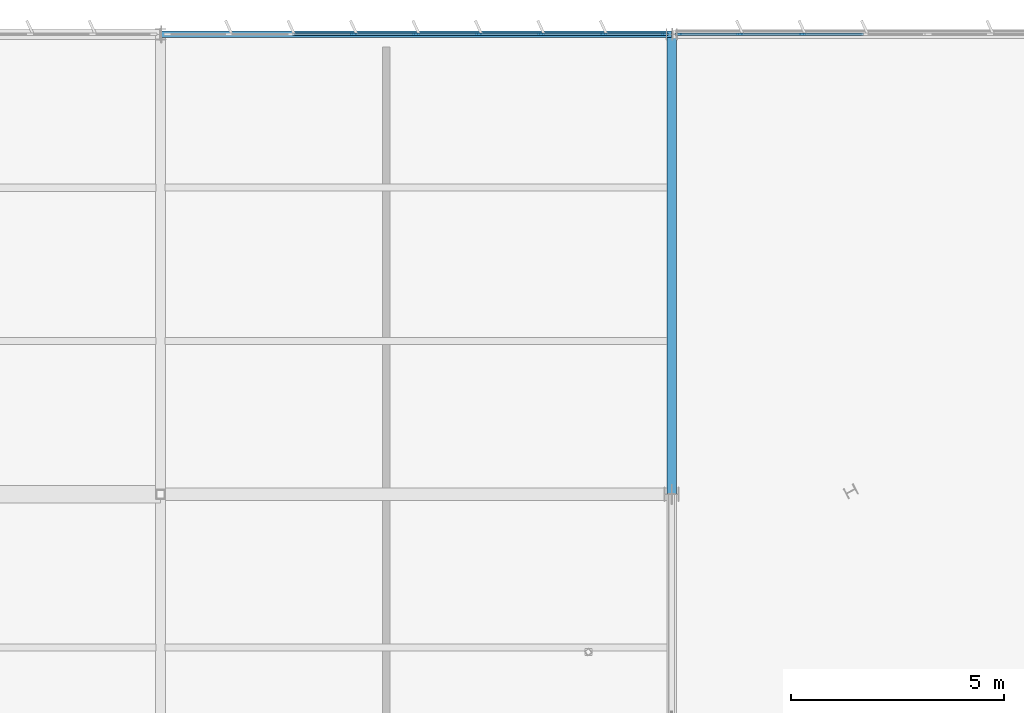
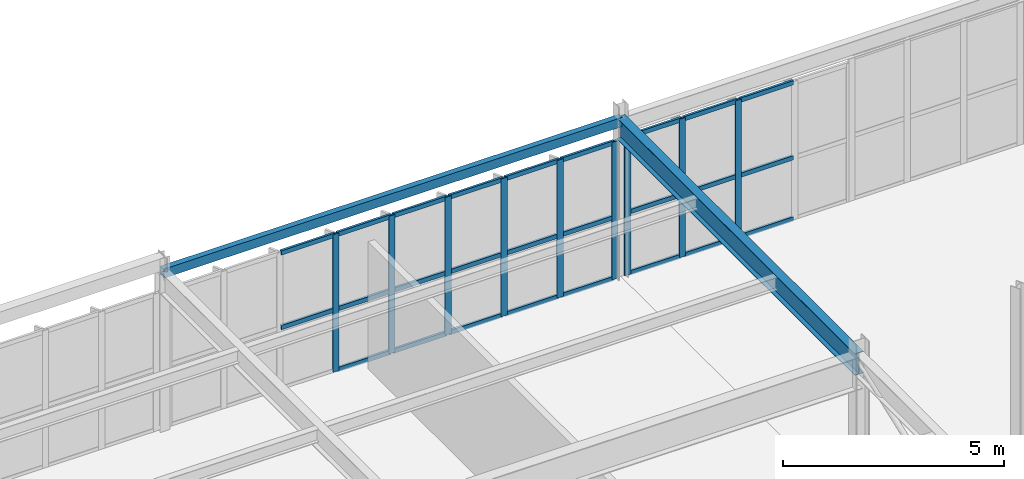
# One storey, part 95 of 226: 35 members, 2 beams, 2 elements without a shape of their own.
"""IFC4 building model written with IfcOpenShell, lengths in metres."""

from ifc_helpers import new_model, si_unit, direction, frame, origin, origin_2d, place, context, subcontext, project, spatial, rectangle, hollow_rectangle, i_section, extrude, material, layer, layer_set, material_profile, profile_set, type_object, element, aggregate, save


model = new_model("IFC4")

# Units and contexts
model_context = context("Model", 3, precision=1e-05, world=origin(), true_north=direction((0.0, 1.0)))
body_context = subcontext(model_context, "Body", "Model", "MODEL_VIEW")
ifc_project = project(units=[si_unit("LENGTHUNIT", "METRE"), si_unit("AREAUNIT", "SQUARE_METRE"), si_unit("VOLUMEUNIT", "CUBIC_METRE"), si_unit("PLANEANGLEUNIT", "RADIAN"), si_unit("MASSUNIT", "GRAM", prefix="KILO")], contexts=[model_context])

# Site, building, storey
site_placement = place(None, origin())
site = spatial("IfcSite", under=ifc_project, at=site_placement, CompositionType="ELEMENT")
building_placement = place(site_placement, origin())
building = spatial("IfcBuilding", under=site, at=building_placement, Name="Tarnwether General Hospital", CompositionType="ELEMENT")
storey_placement = place(building_placement, frame((0.0, 0.0, 4.800048828125)))
storey = spatial("IfcBuildingStorey", under=building, at=storey_placement, Name="L01", CompositionType="ELEMENT", Elevation=4.800048828125)

# Beams
ifc_material_1 = material(Name="Steel Grade 350 (350 MPa)", Category="steel")
ifc_material_profile_1 = material_profile(ifc_material_1, i_section(OverallWidth=0.22802734375, OverallDepth=0.60205078125, WebThickness=0.010498046875, FlangeThickness=0.014892578125, at=origin_2d()), Name="610UB101")
ifc_profile_set_1 = profile_set([ifc_material_profile_1], Name="Steel Grade 350 (350 MPa)")
beam_type_1 = type_object("IfcBeamType", Name="BM-G05", PredefinedType="BEAM", material=ifc_profile_set_1)
beam_1_placement = place(storey_placement, frame((60.0, 115.199951171875, 4.14404296875), z_axis=(0.0, 1.0, 0.0), x_axis=(-1.0, 0.0, 0.0)))
element("IfcBeam", 1, at=beam_1_placement, inside=storey, type_object=beam_type_1, Name="Primary Girder BMG-L01-6000_11520-6000_12600-1133", PredefinedType="BEAM", context=body_context, shape_type="SweptSolid", body=[
    extrude(i_section(OverallWidth=0.22802734375, OverallDepth=0.60205078125, WebThickness=0.010498046875, FlangeThickness=0.014892578125, at=origin_2d()), origin(), (0.0, 0.0, 1.0), 10.800048828125),
])
ifc_material_2 = material(Name="Steel Grade C350L0 (350 MPa)", Category="steel")
ifc_material_profile_2 = material_profile(ifc_material_2, hollow_rectangle(XDim=0.14990234375, YDim=0.25, WallThickness=0.008056640625, at=origin_2d()), Name="RHS250x150x8")
ifc_profile_set_2 = profile_set([ifc_material_profile_2], Name="Steel Grade C350L0 (350 MPa)")
beam_type_2 = type_object("IfcBeamType", Name="BM-SP8", PredefinedType="SPANDREL", material=ifc_profile_set_2)
beam_2_placement = place(storey_placement, frame((48.0, 126.0, 4.320068359375), z_axis=(1.0, 0.0, 0.0), x_axis=(0.0, 1.0, 0.0)))
element("IfcBeam", 2, at=beam_2_placement, inside=storey, type_object=beam_type_2, Name="Primary Girder BMG-L01-4800_12600-6000_12600-1117", PredefinedType="SPANDREL", context=body_context, shape_type="SweptSolid", body=[
    extrude(hollow_rectangle(XDim=0.14990234375, YDim=0.25, WallThickness=0.008056640625, at=origin_2d()), origin(), (0.0, 0.0, 1.0), 12.0),
])

# Curtain wall, members
ifc_material_3 = material(Name="Anodised aluminium", Category="aluminium")
ifc_layer = layer(ifc_material_3, 0.159912109375)
ifc_layer_set = layer_set([ifc_layer], Name="Anodised aluminium")
curtain_wall_type = type_object("IfcCurtainWallType", Name="CW-12", PredefinedType="NOTDEFINED", material=ifc_layer_set)
curtain_wall_1_placement = place(storey_placement, origin())
curtain_wall_1 = element("IfcCurtainWall", 3, at=curtain_wall_1_placement, inside=storey, type_object=curtain_wall_type, Name="Curtain Wall CWG-L01-481_1260-0321", PredefinedType="NOTDEFINED")
ifc_material_4 = material(Name="Anodised aluminium", Category="aluminium")
ifc_material_profile_3 = material_profile(ifc_material_4, rectangle(XDim=0.06005859375, YDim=0.159912109375, at=origin_2d()), Name="ALU-MUL-60x160")
ifc_profile_set_3 = profile_set([ifc_material_profile_3], Name="Anodised aluminium")
member_type_1 = type_object("IfcMemberType", Name="CW-ML1", PredefinedType="MULLION", material=ifc_profile_set_3)
member_1_placement = place(storey_placement, frame((52.53369140625, 126.0, 0.0), z_axis=(0.0, 0.0, 1.0), x_axis=(0.0, 1.0, 0.0)))
member_1 = element("IfcMember", 4, at=member_1_placement, type_object=member_type_1, Name="CW-12 mullion 4", PredefinedType="MULLION", context=body_context, shape_type="SweptSolid", body=[
    extrude(rectangle(XDim=0.06005859375, YDim=0.159912109375, at=origin_2d()), origin(), (0.0, 0.0, 1.0), 3.807861328125),
])
member_2_placement = place(storey_placement, frame((54.0, 126.0, 0.0), z_axis=(0.0, 0.0, 1.0), x_axis=(0.0, 1.0, 0.0)))
member_2 = element("IfcMember", 5, at=member_2_placement, type_object=member_type_1, Name="CW-12 mullion 5", PredefinedType="MULLION", context=body_context, shape_type="SweptSolid", body=[
    extrude(rectangle(XDim=0.06005859375, YDim=0.159912109375, at=origin_2d()), origin(), (0.0, 0.0, 1.0), 3.807861328125),
])
member_3_placement = place(storey_placement, frame((55.46630859375, 126.0, 0.0), z_axis=(0.0, 0.0, 1.0), x_axis=(0.0, 1.0, 0.0)))
member_3 = element("IfcMember", 6, at=member_3_placement, type_object=member_type_1, Name="CW-12 mullion 6", PredefinedType="MULLION", context=body_context, shape_type="SweptSolid", body=[
    extrude(rectangle(XDim=0.06005859375, YDim=0.159912109375, at=origin_2d()), origin(), (0.0, 0.0, 1.0), 3.807861328125),
])
member_4_placement = place(storey_placement, frame((56.9326171875, 126.0, 0.0), z_axis=(0.0, 0.0, 1.0), x_axis=(0.0, 1.0, 0.0)))
member_4 = element("IfcMember", 7, at=member_4_placement, type_object=member_type_1, Name="CW-12 mullion 7", PredefinedType="MULLION", context=body_context, shape_type="SweptSolid", body=[
    extrude(rectangle(XDim=0.06005859375, YDim=0.159912109375, at=origin_2d()), origin(), (0.0, 0.0, 1.0), 3.807861328125),
])
member_5_placement = place(storey_placement, frame((58.398681640625, 126.0, 0.0), z_axis=(0.0, 0.0, 1.0), x_axis=(0.0, 1.0, 0.0)))
member_5 = element("IfcMember", 8, at=member_5_placement, type_object=member_type_1, Name="CW-12 mullion 8", PredefinedType="MULLION", context=body_context, shape_type="SweptSolid", body=[
    extrude(rectangle(XDim=0.06005859375, YDim=0.159912109375, at=origin_2d()), origin(), (0.0, 0.0, 1.0), 3.807861328125),
])
member_6_placement = place(storey_placement, frame((59.8349609375, 126.0, 0.0), z_axis=(0.0, 0.0, 1.0), x_axis=(0.0, 1.0, 0.0)))
member_6 = element("IfcMember", 9, at=member_6_placement, type_object=member_type_1, Name="CW-12 mullion 9", PredefinedType="MULLION", context=body_context, shape_type="SweptSolid", body=[
    extrude(rectangle(XDim=0.06005859375, YDim=0.159912109375, at=origin_2d()), origin(), (0.0, 0.0, 1.0), 3.807861328125),
])

curtain_wall_2_placement = place(storey_placement, origin())
curtain_wall_2 = element("IfcCurtainWall", 10, at=curtain_wall_2_placement, inside=storey, type_object=curtain_wall_type, Name="Curtain Wall CWG-L01-601_1260-0322", PredefinedType="NOTDEFINED")
member_7_placement = place(storey_placement, frame((60.1650390625, 126.0, 0.0), z_axis=(0.0, 0.0, 1.0), x_axis=(0.0, 1.0, 0.0)))
member_7 = element("IfcMember", 11, at=member_7_placement, type_object=member_type_1, Name="CW-12 mullion 1", PredefinedType="MULLION", context=body_context, shape_type="SweptSolid", body=[
    extrude(rectangle(XDim=0.06005859375, YDim=0.159912109375, at=origin_2d()), origin(), (0.0, 0.0, 1.0), 3.827880859375),
])
member_8_placement = place(storey_placement, frame((61.601318359375, 126.0, 0.0), z_axis=(0.0, 0.0, 1.0), x_axis=(0.0, 1.0, 0.0)))
member_8 = element("IfcMember", 12, at=member_8_placement, type_object=member_type_1, Name="CW-12 mullion 2", PredefinedType="MULLION", context=body_context, shape_type="SweptSolid", body=[
    extrude(rectangle(XDim=0.06005859375, YDim=0.159912109375, at=origin_2d()), origin(), (0.0, 0.0, 1.0), 3.827880859375),
])
member_9_placement = place(storey_placement, frame((63.0673828125, 126.0, 0.0), z_axis=(0.0, 0.0, 1.0), x_axis=(0.0, 1.0, 0.0)))
member_9 = element("IfcMember", 13, at=member_9_placement, type_object=member_type_1, Name="CW-12 mullion 3", PredefinedType="MULLION", context=body_context, shape_type="SweptSolid", body=[
    extrude(rectangle(XDim=0.06005859375, YDim=0.159912109375, at=origin_2d()), origin(), (0.0, 0.0, 1.0), 3.827880859375),
])

# Member
ifc_material_5 = material(Name="Anodised aluminium", Category="aluminium")
ifc_material_profile_4 = material_profile(ifc_material_5, rectangle(XDim=0.06005859375, YDim=0.1201171875, at=origin_2d()), Name="ALU-TRN-60x120")
ifc_profile_set_4 = profile_set([ifc_material_profile_4], Name="Anodised aluminium")
member_type_2 = type_object("IfcMemberType", Name="CW-TR1", PredefinedType="USERDEFINED", material=ifc_profile_set_4)
member_10_placement = place(storey_placement, frame((51.097412109375, 126.0, 1.713623046875), z_axis=(1.0, 0.0, 0.0), x_axis=(0.0, 1.0, 0.0)))
member_10 = element("IfcMember", 14, at=member_10_placement, type_object=member_type_2, Name="CW-12 transom 3.2", ObjectType="TRANSOM", PredefinedType="USERDEFINED", context=body_context, shape_type="SweptSolid", body=[
    extrude(rectangle(XDim=0.06005859375, YDim=0.1201171875, at=origin_2d()), origin(), (0.0, 0.0, 1.0), 1.40625),
])

member_11_placement = place(storey_placement, frame((51.097412109375, 126.0, 3.77783203125), z_axis=(1.0, 0.0, 0.0), x_axis=(0.0, 1.0, 0.0)))
member_11 = element("IfcMember", 15, at=member_11_placement, type_object=member_type_2, Name="CW-12 transom 3.3", ObjectType="TRANSOM", PredefinedType="USERDEFINED", context=body_context, shape_type="SweptSolid", body=[
    extrude(rectangle(XDim=0.06005859375, YDim=0.1201171875, at=origin_2d()), origin(), (0.0, 0.0, 1.0), 1.40625),
])

member_12_placement = place(storey_placement, frame((52.563720703125, 126.0, 0.030029296875), z_axis=(1.0, 0.0, 0.0), x_axis=(0.0, 1.0, 0.0)))
member_12 = element("IfcMember", 16, at=member_12_placement, type_object=member_type_2, Name="CW-12 transom 4.1", ObjectType="TRANSOM", PredefinedType="USERDEFINED", context=body_context, shape_type="SweptSolid", body=[
    extrude(rectangle(XDim=0.06005859375, YDim=0.1201171875, at=origin_2d()), origin(), (0.0, 0.0, 1.0), 1.40625),
])

member_13_placement = place(storey_placement, frame((52.563720703125, 126.0, 1.713623046875), z_axis=(1.0, 0.0, 0.0), x_axis=(0.0, 1.0, 0.0)))
member_13 = element("IfcMember", 17, at=member_13_placement, type_object=member_type_2, Name="CW-12 transom 4.2", ObjectType="TRANSOM", PredefinedType="USERDEFINED", context=body_context, shape_type="SweptSolid", body=[
    extrude(rectangle(XDim=0.06005859375, YDim=0.1201171875, at=origin_2d()), origin(), (0.0, 0.0, 1.0), 1.40625),
])

member_14_placement = place(storey_placement, frame((52.563720703125, 126.0, 3.77783203125), z_axis=(1.0, 0.0, 0.0), x_axis=(0.0, 1.0, 0.0)))
member_14 = element("IfcMember", 18, at=member_14_placement, type_object=member_type_2, Name="CW-12 transom 4.3", ObjectType="TRANSOM", PredefinedType="USERDEFINED", context=body_context, shape_type="SweptSolid", body=[
    extrude(rectangle(XDim=0.06005859375, YDim=0.1201171875, at=origin_2d()), origin(), (0.0, 0.0, 1.0), 1.40625),
])

member_15_placement = place(storey_placement, frame((54.030029296875, 126.0, 0.030029296875), z_axis=(1.0, 0.0, 0.0), x_axis=(0.0, 1.0, 0.0)))
member_15 = element("IfcMember", 19, at=member_15_placement, type_object=member_type_2, Name="CW-12 transom 5.1", ObjectType="TRANSOM", PredefinedType="USERDEFINED", context=body_context, shape_type="SweptSolid", body=[
    extrude(rectangle(XDim=0.06005859375, YDim=0.1201171875, at=origin_2d()), origin(), (0.0, 0.0, 1.0), 1.40625),
])

member_16_placement = place(storey_placement, frame((54.030029296875, 126.0, 1.713623046875), z_axis=(1.0, 0.0, 0.0), x_axis=(0.0, 1.0, 0.0)))
member_16 = element("IfcMember", 20, at=member_16_placement, type_object=member_type_2, Name="CW-12 transom 5.2", ObjectType="TRANSOM", PredefinedType="USERDEFINED", context=body_context, shape_type="SweptSolid", body=[
    extrude(rectangle(XDim=0.06005859375, YDim=0.1201171875, at=origin_2d()), origin(), (0.0, 0.0, 1.0), 1.40625),
])

member_17_placement = place(storey_placement, frame((54.030029296875, 126.0, 3.77783203125), z_axis=(1.0, 0.0, 0.0), x_axis=(0.0, 1.0, 0.0)))
member_17 = element("IfcMember", 21, at=member_17_placement, type_object=member_type_2, Name="CW-12 transom 5.3", ObjectType="TRANSOM", PredefinedType="USERDEFINED", context=body_context, shape_type="SweptSolid", body=[
    extrude(rectangle(XDim=0.06005859375, YDim=0.1201171875, at=origin_2d()), origin(), (0.0, 0.0, 1.0), 1.40625),
])

member_18_placement = place(storey_placement, frame((55.496337890625, 126.0, 0.030029296875), z_axis=(1.0, 0.0, 0.0), x_axis=(0.0, 1.0, 0.0)))
member_18 = element("IfcMember", 22, at=member_18_placement, type_object=member_type_2, Name="CW-12 transom 6.1", ObjectType="TRANSOM", PredefinedType="USERDEFINED", context=body_context, shape_type="SweptSolid", body=[
    extrude(rectangle(XDim=0.06005859375, YDim=0.1201171875, at=origin_2d()), origin(), (0.0, 0.0, 1.0), 1.40625),
])

member_19_placement = place(storey_placement, frame((55.496337890625, 126.0, 1.713623046875), z_axis=(1.0, 0.0, 0.0), x_axis=(0.0, 1.0, 0.0)))
member_19 = element("IfcMember", 23, at=member_19_placement, type_object=member_type_2, Name="CW-12 transom 6.2", ObjectType="TRANSOM", PredefinedType="USERDEFINED", context=body_context, shape_type="SweptSolid", body=[
    extrude(rectangle(XDim=0.06005859375, YDim=0.1201171875, at=origin_2d()), origin(), (0.0, 0.0, 1.0), 1.40625),
])

member_20_placement = place(storey_placement, frame((55.496337890625, 126.0, 3.77783203125), z_axis=(1.0, 0.0, 0.0), x_axis=(0.0, 1.0, 0.0)))
member_20 = element("IfcMember", 24, at=member_20_placement, type_object=member_type_2, Name="CW-12 transom 6.3", ObjectType="TRANSOM", PredefinedType="USERDEFINED", context=body_context, shape_type="SweptSolid", body=[
    extrude(rectangle(XDim=0.06005859375, YDim=0.1201171875, at=origin_2d()), origin(), (0.0, 0.0, 1.0), 1.40625),
])

member_21_placement = place(storey_placement, frame((56.96240234375, 126.0, 0.030029296875), z_axis=(1.0, 0.0, 0.0), x_axis=(0.0, 1.0, 0.0)))
member_21 = element("IfcMember", 25, at=member_21_placement, type_object=member_type_2, Name="CW-12 transom 7.1", ObjectType="TRANSOM", PredefinedType="USERDEFINED", context=body_context, shape_type="SweptSolid", body=[
    extrude(rectangle(XDim=0.06005859375, YDim=0.1201171875, at=origin_2d()), origin(), (0.0, 0.0, 1.0), 1.40625),
])

member_22_placement = place(storey_placement, frame((56.96240234375, 126.0, 1.713623046875), z_axis=(1.0, 0.0, 0.0), x_axis=(0.0, 1.0, 0.0)))
member_22 = element("IfcMember", 26, at=member_22_placement, type_object=member_type_2, Name="CW-12 transom 7.2", ObjectType="TRANSOM", PredefinedType="USERDEFINED", context=body_context, shape_type="SweptSolid", body=[
    extrude(rectangle(XDim=0.06005859375, YDim=0.1201171875, at=origin_2d()), origin(), (0.0, 0.0, 1.0), 1.40625),
])

member_23_placement = place(storey_placement, frame((56.96240234375, 126.0, 3.77783203125), z_axis=(1.0, 0.0, 0.0), x_axis=(0.0, 1.0, 0.0)))
member_23 = element("IfcMember", 27, at=member_23_placement, type_object=member_type_2, Name="CW-12 transom 7.3", ObjectType="TRANSOM", PredefinedType="USERDEFINED", context=body_context, shape_type="SweptSolid", body=[
    extrude(rectangle(XDim=0.06005859375, YDim=0.1201171875, at=origin_2d()), origin(), (0.0, 0.0, 1.0), 1.40625),
])

member_24_placement = place(storey_placement, frame((58.4287109375, 126.0, 0.030029296875), z_axis=(1.0, 0.0, 0.0), x_axis=(0.0, 1.0, 0.0)))
member_24 = element("IfcMember", 28, at=member_24_placement, type_object=member_type_2, Name="CW-12 transom 8.1", ObjectType="TRANSOM", PredefinedType="USERDEFINED", context=body_context, shape_type="SweptSolid", body=[
    extrude(rectangle(XDim=0.06005859375, YDim=0.1201171875, at=origin_2d()), origin(), (0.0, 0.0, 1.0), 1.376220703125),
])

member_25_placement = place(storey_placement, frame((58.4287109375, 126.0, 1.713623046875), z_axis=(1.0, 0.0, 0.0), x_axis=(0.0, 1.0, 0.0)))
member_25 = element("IfcMember", 29, at=member_25_placement, type_object=member_type_2, Name="CW-12 transom 8.2", ObjectType="TRANSOM", PredefinedType="USERDEFINED", context=body_context, shape_type="SweptSolid", body=[
    extrude(rectangle(XDim=0.06005859375, YDim=0.1201171875, at=origin_2d()), origin(), (0.0, 0.0, 1.0), 1.376220703125),
])

member_26_placement = place(storey_placement, frame((58.4287109375, 126.0, 3.77783203125), z_axis=(1.0, 0.0, 0.0), x_axis=(0.0, 1.0, 0.0)))
member_26 = element("IfcMember", 30, at=member_26_placement, type_object=member_type_2, Name="CW-12 transom 8.3", ObjectType="TRANSOM", PredefinedType="USERDEFINED", context=body_context, shape_type="SweptSolid", body=[
    extrude(rectangle(XDim=0.06005859375, YDim=0.1201171875, at=origin_2d()), origin(), (0.0, 0.0, 1.0), 1.376220703125),
])

aggregate(curtain_wall_1, [member_1, member_2, member_3, member_4, member_5, member_6, member_10, member_11, member_12, member_13, member_14, member_15, member_16, member_17, member_18, member_19, member_20, member_21, member_22, member_23, member_24, member_25, member_26])

member_27_placement = place(storey_placement, frame((60.195068359375, 126.0, 0.030029296875), z_axis=(1.0, 0.0, 0.0), x_axis=(0.0, 1.0, 0.0)))
member_27 = element("IfcMember", 31, at=member_27_placement, type_object=member_type_2, Name="CW-12 transom 1.1", ObjectType="TRANSOM", PredefinedType="USERDEFINED", context=body_context, shape_type="SweptSolid", body=[
    extrude(rectangle(XDim=0.06005859375, YDim=0.1201171875, at=origin_2d()), origin(), (0.0, 0.0, 1.0), 1.376220703125),
])

member_28_placement = place(storey_placement, frame((60.195068359375, 126.0, 1.72265625), z_axis=(1.0, 0.0, 0.0), x_axis=(0.0, 1.0, 0.0)))
member_28 = element("IfcMember", 32, at=member_28_placement, type_object=member_type_2, Name="CW-12 transom 1.2", ObjectType="TRANSOM", PredefinedType="USERDEFINED", context=body_context, shape_type="SweptSolid", body=[
    extrude(rectangle(XDim=0.06005859375, YDim=0.1201171875, at=origin_2d()), origin(), (0.0, 0.0, 1.0), 1.376220703125),
])

member_29_placement = place(storey_placement, frame((60.195068359375, 126.0, 3.7978515625), z_axis=(1.0, 0.0, 0.0), x_axis=(0.0, 1.0, 0.0)))
member_29 = element("IfcMember", 33, at=member_29_placement, type_object=member_type_2, Name="CW-12 transom 1.3", ObjectType="TRANSOM", PredefinedType="USERDEFINED", context=body_context, shape_type="SweptSolid", body=[
    extrude(rectangle(XDim=0.06005859375, YDim=0.1201171875, at=origin_2d()), origin(), (0.0, 0.0, 1.0), 1.376220703125),
])

member_30_placement = place(storey_placement, frame((61.63134765625, 126.0, 0.030029296875), z_axis=(1.0, 0.0, 0.0), x_axis=(0.0, 1.0, 0.0)))
member_30 = element("IfcMember", 34, at=member_30_placement, type_object=member_type_2, Name="CW-12 transom 2.1", ObjectType="TRANSOM", PredefinedType="USERDEFINED", context=body_context, shape_type="SweptSolid", body=[
    extrude(rectangle(XDim=0.06005859375, YDim=0.1201171875, at=origin_2d()), origin(), (0.0, 0.0, 1.0), 1.40625),
])

member_31_placement = place(storey_placement, frame((61.63134765625, 126.0, 1.72265625), z_axis=(1.0, 0.0, 0.0), x_axis=(0.0, 1.0, 0.0)))
member_31 = element("IfcMember", 35, at=member_31_placement, type_object=member_type_2, Name="CW-12 transom 2.2", ObjectType="TRANSOM", PredefinedType="USERDEFINED", context=body_context, shape_type="SweptSolid", body=[
    extrude(rectangle(XDim=0.06005859375, YDim=0.1201171875, at=origin_2d()), origin(), (0.0, 0.0, 1.0), 1.40625),
])

member_32_placement = place(storey_placement, frame((61.63134765625, 126.0, 3.7978515625), z_axis=(1.0, 0.0, 0.0), x_axis=(0.0, 1.0, 0.0)))
member_32 = element("IfcMember", 36, at=member_32_placement, type_object=member_type_2, Name="CW-12 transom 2.3", ObjectType="TRANSOM", PredefinedType="USERDEFINED", context=body_context, shape_type="SweptSolid", body=[
    extrude(rectangle(XDim=0.06005859375, YDim=0.1201171875, at=origin_2d()), origin(), (0.0, 0.0, 1.0), 1.40625),
])

member_33_placement = place(storey_placement, frame((63.097412109375, 126.0, 0.030029296875), z_axis=(1.0, 0.0, 0.0), x_axis=(0.0, 1.0, 0.0)))
member_33 = element("IfcMember", 37, at=member_33_placement, type_object=member_type_2, Name="CW-12 transom 3.1", ObjectType="TRANSOM", PredefinedType="USERDEFINED", context=body_context, shape_type="SweptSolid", body=[
    extrude(rectangle(XDim=0.06005859375, YDim=0.1201171875, at=origin_2d()), origin(), (0.0, 0.0, 1.0), 1.40625),
])

member_34_placement = place(storey_placement, frame((63.097412109375, 126.0, 1.72265625), z_axis=(1.0, 0.0, 0.0), x_axis=(0.0, 1.0, 0.0)))
member_34 = element("IfcMember", 38, at=member_34_placement, type_object=member_type_2, Name="CW-12 transom 3.2", ObjectType="TRANSOM", PredefinedType="USERDEFINED", context=body_context, shape_type="SweptSolid", body=[
    extrude(rectangle(XDim=0.06005859375, YDim=0.1201171875, at=origin_2d()), origin(), (0.0, 0.0, 1.0), 1.40625),
])

member_35_placement = place(storey_placement, frame((63.097412109375, 126.0, 3.7978515625), z_axis=(1.0, 0.0, 0.0), x_axis=(0.0, 1.0, 0.0)))
member_35 = element("IfcMember", 39, at=member_35_placement, type_object=member_type_2, Name="CW-12 transom 3.3", ObjectType="TRANSOM", PredefinedType="USERDEFINED", context=body_context, shape_type="SweptSolid", body=[
    extrude(rectangle(XDim=0.06005859375, YDim=0.1201171875, at=origin_2d()), origin(), (0.0, 0.0, 1.0), 1.40625),
])

aggregate(curtain_wall_2, [member_7, member_8, member_9, member_27, member_28, member_29, member_30, member_31, member_32, member_33, member_34, member_35])

save(model, "model.ifc")
